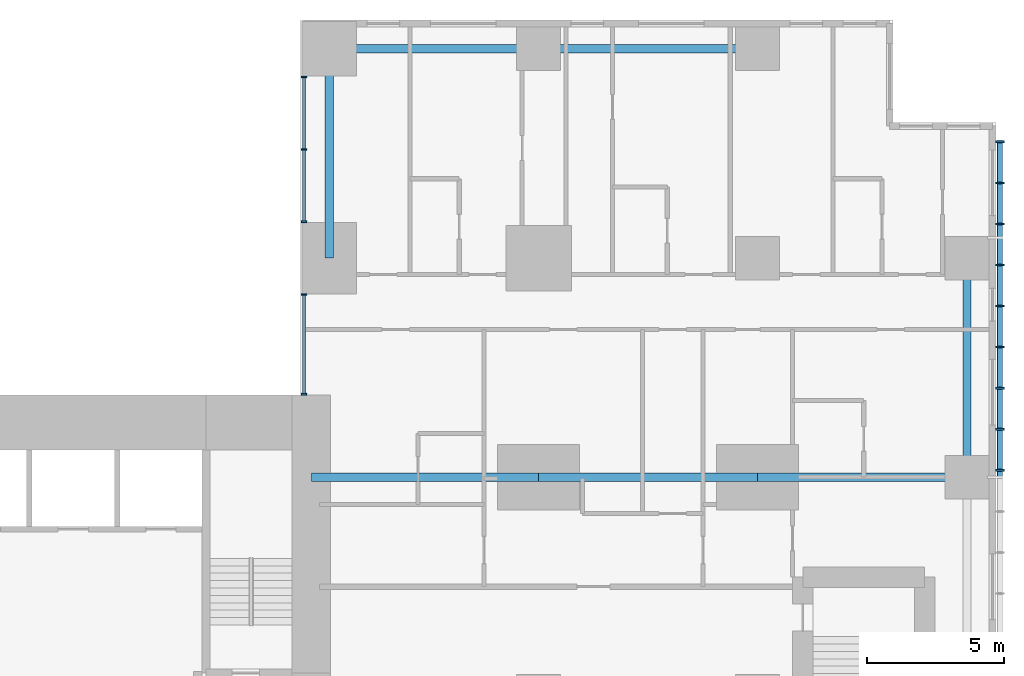
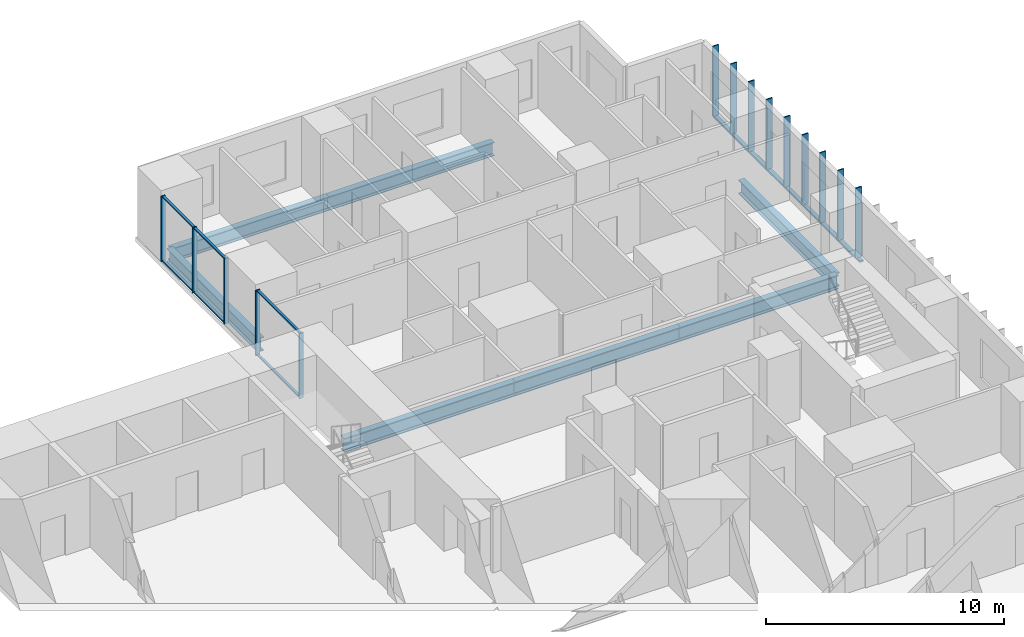
# One storey, part 3 of 12: 21 members, 7 beams, 2 elements without a shape of their own.
"""IFC4 building model written with IfcOpenShell, lengths in metres."""

from ifc_helpers import new_model, si_unit, direction, frame, origin, origin_2d, place, context, subcontext, project, spatial, rectangle, hollow_rectangle, i_section, extrude, material, layer, layer_set, material_profile, profile_set, type_object, element, aggregate, save


model = new_model("IFC4")

# Units and contexts
model_context = context("Model", 3, precision=1e-05, world=origin(), true_north=direction((0.0, 1.0)))
body_context = subcontext(model_context, "Body", "Model", "MODEL_VIEW")
ifc_project = project(units=[si_unit("LENGTHUNIT", "METRE"), si_unit("AREAUNIT", "SQUARE_METRE"), si_unit("VOLUMEUNIT", "CUBIC_METRE"), si_unit("PLANEANGLEUNIT", "RADIAN"), si_unit("MASSUNIT", "GRAM", prefix="KILO")], contexts=[model_context])

# Site, building, storey
site_placement = place(None, origin())
site = spatial("IfcSite", under=ifc_project, at=site_placement, CompositionType="ELEMENT")
building_placement = place(site_placement, origin())
building = spatial("IfcBuilding", under=site, at=building_placement, Name="Cleftline Residences", CompositionType="ELEMENT")
storey_placement = place(building_placement, frame((0.0, 0.0, 255.60009765625)))
storey = spatial("IfcBuildingStorey", under=building, at=storey_placement, Name="L67", CompositionType="ELEMENT", Elevation=255.60009765625)

# Member
ifc_material_1 = material(Name="Steel S355, hot-dip galvanised", Category="steel")
ifc_material_profile_1 = material_profile(ifc_material_1, hollow_rectangle(XDim=0.10009765625, YDim=0.199951171875, WallThickness=0.008056640625, InnerFilletRadius=0.008056640625, OuterFilletRadius=0.011962890625, at=origin_2d()))
ifc_profile_set_1 = profile_set([ifc_material_profile_1], Name="Steel S355, hot-dip galvanised")
member_type_1 = type_object("IfcMemberType", Name="BAGUETTE CARRIER RHS 200X100X8", PredefinedType="USERDEFINED", material=ifc_profile_set_1)
member_1_placement = place(storey_placement, frame((66.85009765625, 32.0, -0.050048828125), z_axis=(0.0, 1.0, 0.0), x_axis=(0.0, 0.0, 1.0)))
element("IfcMember", 1, at=member_1_placement, inside=storey, type_object=member_type_1, Name="Baguette carrier", ObjectType="BAGUETTE CARRIER", PredefinedType="USERDEFINED", context=body_context, shape_type="SweptSolid", body=[
    extrude(hollow_rectangle(XDim=0.10009765625, YDim=0.199951171875, WallThickness=0.008056640625, InnerFilletRadius=0.008056640625, OuterFilletRadius=0.011962890625, at=origin_2d()), origin(), (0.0, 0.0, 1.0), 12.300048828125),
])

# Beams
ifc_material_2 = material(Name="Steel S355", Category="steel")
ifc_material_profile_2 = material_profile(ifc_material_2, i_section(OverallWidth=0.300048828125, OverallDepth=0.699951171875, WebThickness=0.01708984375, FlangeThickness=0.031982421875, FilletRadius=0.027099609375, at=origin_2d()))
ifc_profile_set_2 = profile_set([ifc_material_profile_2], Name="Steel S355")
beam_type_1 = type_object("IfcBeamType", Name="BEAM HEB 700", PredefinedType="BEAM", material=ifc_profile_set_2)
for number, where, z_axis, x_axis, name in (
    (2, (65.64990234375, 32.0, -0.60009765625), (0.0, 1.0, 0.0), (-1.0, 0.0, 0.0), "Edge beam"),
    (3, (58.0, 47.64990234375, -0.60009765625), (-1.0, 0.0, 0.0), (0.0, -1.0, 0.0), "Edge beam"),
):
    element("IfcBeam", number, at=place(storey_placement, frame(where, z_axis=z_axis, x_axis=x_axis)), inside=storey, type_object=beam_type_1, Name=name, PredefinedType="BEAM", context=body_context, shape_type="SweptSolid", body=[
        extrude(i_section(OverallWidth=0.300048828125, OverallDepth=0.699951171875, WebThickness=0.01708984375, FlangeThickness=0.031982421875, FilletRadius=0.027099609375, at=origin_2d()), origin(), (0.0, 0.0, 1.0), 8.0),
    ])
for number, where, z_axis, x_axis, name in (
    (4, (50.0, 47.64990234375, -0.60009765625), (-1.0, 0.0, 0.0), (0.0, -1.0, 0.0), "Edge beam"),
    (5, (42.35009765625, 47.64990234375, -0.60009765625), (0.0, -1.0, 0.0), (1.0, 0.0, 0.0), "Edge beam"),
):
    element("IfcBeam", number, at=place(storey_placement, frame(where, z_axis=z_axis, x_axis=x_axis)), inside=storey, type_object=beam_type_1, Name=name, PredefinedType="BEAM", context=body_context, shape_type="SweptSolid", body=[
        extrude(i_section(OverallWidth=0.300048828125, OverallDepth=0.699951171875, WebThickness=0.01708984375, FlangeThickness=0.031982421875, FilletRadius=0.027099609375, at=origin_2d()), origin(), (0.0, 0.0, 1.0), 7.64990234375),
    ])
ifc_material_3 = material(Name="Steel S355", Category="steel")
ifc_material_profile_3 = material_profile(ifc_material_3, i_section(OverallWidth=0.303955078125, OverallDepth=0.716064453125, WebThickness=0.02099609375, FlangeThickness=0.0400390625, FilletRadius=0.027099609375, at=origin_2d()))
ifc_profile_set_3 = profile_set([ifc_material_profile_3], Name="Steel S355")
beam_type_2 = type_object("IfcBeamType", Name="BEAM HEM 700", PredefinedType="BEAM", material=ifc_profile_set_3)
beam_1_placement = place(storey_placement, frame((65.64990234375, 32.0, -0.608154296875), z_axis=(-1.0, 0.0, 0.0), x_axis=(0.0, -1.0, 0.0)))
element("IfcBeam", 6, at=beam_1_placement, inside=storey, type_object=beam_type_2, Name="Band beam", PredefinedType="BEAM", context=body_context, shape_type="SweptSolid", body=[
    extrude(i_section(OverallWidth=0.303955078125, OverallDepth=0.716064453125, WebThickness=0.02099609375, FlangeThickness=0.0400390625, FilletRadius=0.027099609375, at=origin_2d()), origin(), (0.0, 0.0, 1.0), 7.64990234375),
])
beam_2_placement = place(storey_placement, frame((58.0, 32.0, -0.608154296875), z_axis=(-1.0, 0.0, 0.0), x_axis=(0.0, -1.0, 0.0)))
element("IfcBeam", 7, at=beam_2_placement, inside=storey, type_object=beam_type_2, Name="Band beam", PredefinedType="BEAM", context=body_context, shape_type="SweptSolid", body=[
    extrude(i_section(OverallWidth=0.303955078125, OverallDepth=0.716064453125, WebThickness=0.02099609375, FlangeThickness=0.0400390625, FilletRadius=0.027099609375, at=origin_2d()), origin(), (0.0, 0.0, 1.0), 8.0),
])
beam_3_placement = place(storey_placement, frame((50.0, 32.0, -0.608154296875), z_axis=(-1.0, 0.0, 0.0), x_axis=(0.0, -1.0, 0.0)))
element("IfcBeam", 8, at=beam_3_placement, inside=storey, type_object=beam_type_2, Name="Band beam", PredefinedType="BEAM", context=body_context, shape_type="SweptSolid", body=[
    extrude(i_section(OverallWidth=0.303955078125, OverallDepth=0.716064453125, WebThickness=0.02099609375, FlangeThickness=0.0400390625, FilletRadius=0.027099609375, at=origin_2d()), origin(), (0.0, 0.0, 1.0), 8.300048828125),
])

# Curtain wall, members
ifc_material_4 = material(Name="Aluminium framed curtain wall", Category="aluminium")
ifc_layer = layer(ifc_material_4, 0.199951171875)
ifc_layer_set = layer_set([ifc_layer], Name="CW1 CLEFT GLAZING")
curtain_wall_type = type_object("IfcCurtainWallType", Name="CW1 CLEFT GLAZING", PredefinedType="NOTDEFINED", material=ifc_layer_set)
curtain_wall_1_placement = place(storey_placement, origin())
curtain_wall_1 = element("IfcCurtainWall", 9, at=curtain_wall_1_placement, inside=storey, type_object=curtain_wall_type, Name="Curtain wall CW1", PredefinedType="NOTDEFINED")
ifc_material_5 = material(Name="Aluminium mullion", Category="aluminium")
ifc_material_profile_4 = material_profile(ifc_material_5, rectangle(XDim=0.199951171875, YDim=0.06005859375, at=origin_2d()))
ifc_profile_set_4 = profile_set([ifc_material_profile_4], Name="Aluminium mullion")
member_type_2 = type_object("IfcMemberType", Name="CW1 MULLION", PredefinedType="MULLION", material=ifc_profile_set_4)
member_2_placement = place(storey_placement, frame((41.425048828125, 46.6201171875, 0.0), z_axis=(0.0, 0.0, 1.0), x_axis=(1.0, 0.0, 0.0)))
member_2 = element("IfcMember", 10, at=member_2_placement, type_object=member_type_2, Name="CW1 mullion 1", PredefinedType="MULLION", context=body_context, shape_type="SweptSolid", body=[
    extrude(rectangle(XDim=0.199951171875, YDim=0.06005859375, at=origin_2d()), origin(), (0.0, 0.0, 1.0), 3.349853515625),
])
member_3_placement = place(storey_placement, frame((41.425048828125, 43.97509765625, 0.0), z_axis=(0.0, 0.0, 1.0), x_axis=(1.0, 0.0, 0.0)))
member_3 = element("IfcMember", 11, at=member_3_placement, type_object=member_type_2, Name="CW1 mullion 2", PredefinedType="MULLION", context=body_context, shape_type="SweptSolid", body=[
    extrude(rectangle(XDim=0.199951171875, YDim=0.06005859375, at=origin_2d()), origin(), (0.0, 0.0, 1.0), 3.349853515625),
])
member_4_placement = place(storey_placement, frame((41.425048828125, 41.330078125, 0.0), z_axis=(0.0, 0.0, 1.0), x_axis=(1.0, 0.0, 0.0)))
member_4 = element("IfcMember", 12, at=member_4_placement, type_object=member_type_2, Name="CW1 mullion 3", PredefinedType="MULLION", context=body_context, shape_type="SweptSolid", body=[
    extrude(rectangle(XDim=0.199951171875, YDim=0.06005859375, at=origin_2d()), origin(), (0.0, 0.0, 1.0), 3.349853515625),
])

curtain_wall_2_placement = place(storey_placement, origin())
curtain_wall_2 = element("IfcCurtainWall", 13, at=curtain_wall_2_placement, inside=storey, type_object=curtain_wall_type, Name="Curtain wall CW1", PredefinedType="NOTDEFINED")
member_5_placement = place(storey_placement, frame((41.425048828125, 38.669921875, 0.0), z_axis=(0.0, 0.0, 1.0), x_axis=(1.0, 0.0, 0.0)))
member_5 = element("IfcMember", 14, at=member_5_placement, type_object=member_type_2, Name="CW1 mullion 1", PredefinedType="MULLION", context=body_context, shape_type="SweptSolid", body=[
    extrude(rectangle(XDim=0.199951171875, YDim=0.06005859375, at=origin_2d()), origin(), (0.0, 0.0, 1.0), 3.349853515625),
])
member_6_placement = place(storey_placement, frame((41.425048828125, 35.030029296875, 0.0), z_axis=(0.0, 0.0, 1.0), x_axis=(1.0, 0.0, 0.0)))
member_6 = element("IfcMember", 15, at=member_6_placement, type_object=member_type_2, Name="CW1 mullion 2", PredefinedType="MULLION", context=body_context, shape_type="SweptSolid", body=[
    extrude(rectangle(XDim=0.199951171875, YDim=0.06005859375, at=origin_2d()), origin(), (0.0, 0.0, 1.0), 3.349853515625),
])

# Member
ifc_material_6 = material(Name="Aluminium transom", Category="aluminium")
ifc_material_profile_5 = material_profile(ifc_material_6, rectangle(XDim=0.1201171875, YDim=0.06005859375, at=origin_2d()))
ifc_profile_set_5 = profile_set([ifc_material_profile_5], Name="Aluminium transom")
member_type_3 = type_object("IfcMemberType", Name="CW1 TRANSOM", PredefinedType="USERDEFINED", material=ifc_profile_set_5)
member_7_placement = place(storey_placement, frame((41.425048828125, 46.590087890625, 0.02978515625), z_axis=(0.0, -1.0, 0.0), x_axis=(1.0, 0.0, 0.0)))
member_7 = element("IfcMember", 16, at=member_7_placement, type_object=member_type_3, Name="CW1 transom 1.1", ObjectType="TRANSOM", PredefinedType="USERDEFINED", context=body_context, shape_type="SweptSolid", body=[
    extrude(rectangle(XDim=0.1201171875, YDim=0.06005859375, at=origin_2d()), origin(), (0.0, 0.0, 1.0), 2.585205078125),
])

member_8_placement = place(storey_placement, frame((41.425048828125, 46.590087890625, 3.31982421875), z_axis=(0.0, -1.0, 0.0), x_axis=(1.0, 0.0, 0.0)))
member_8 = element("IfcMember", 17, at=member_8_placement, type_object=member_type_3, Name="CW1 transom 1.2", ObjectType="TRANSOM", PredefinedType="USERDEFINED", context=body_context, shape_type="SweptSolid", body=[
    extrude(rectangle(XDim=0.1201171875, YDim=0.06005859375, at=origin_2d()), origin(), (0.0, 0.0, 1.0), 2.585205078125),
])

member_9_placement = place(storey_placement, frame((41.425048828125, 43.945068359375, 0.02978515625), z_axis=(0.0, -1.0, 0.0), x_axis=(1.0, 0.0, 0.0)))
member_9 = element("IfcMember", 18, at=member_9_placement, type_object=member_type_3, Name="CW1 transom 2.1", ObjectType="TRANSOM", PredefinedType="USERDEFINED", context=body_context, shape_type="SweptSolid", body=[
    extrude(rectangle(XDim=0.1201171875, YDim=0.06005859375, at=origin_2d()), origin(), (0.0, 0.0, 1.0), 2.5849609375),
])

member_10_placement = place(storey_placement, frame((41.425048828125, 43.945068359375, 3.31982421875), z_axis=(0.0, -1.0, 0.0), x_axis=(1.0, 0.0, 0.0)))
member_10 = element("IfcMember", 19, at=member_10_placement, type_object=member_type_3, Name="CW1 transom 2.2", ObjectType="TRANSOM", PredefinedType="USERDEFINED", context=body_context, shape_type="SweptSolid", body=[
    extrude(rectangle(XDim=0.1201171875, YDim=0.06005859375, at=origin_2d()), origin(), (0.0, 0.0, 1.0), 2.5849609375),
])

aggregate(curtain_wall_1, [member_2, member_3, member_4, member_7, member_8, member_9, member_10])

member_11_placement = place(storey_placement, frame((41.425048828125, 38.639892578125, 0.02978515625), z_axis=(0.0, -1.0, 0.0), x_axis=(1.0, 0.0, 0.0)))
member_11 = element("IfcMember", 20, at=member_11_placement, type_object=member_type_3, Name="CW1 transom 1.1", ObjectType="TRANSOM", PredefinedType="USERDEFINED", context=body_context, shape_type="SweptSolid", body=[
    extrude(rectangle(XDim=0.1201171875, YDim=0.06005859375, at=origin_2d()), origin(), (0.0, 0.0, 1.0), 3.579833984375),
])

member_12_placement = place(storey_placement, frame((41.425048828125, 38.639892578125, 3.31982421875), z_axis=(0.0, -1.0, 0.0), x_axis=(1.0, 0.0, 0.0)))
member_12 = element("IfcMember", 21, at=member_12_placement, type_object=member_type_3, Name="CW1 transom 1.2", ObjectType="TRANSOM", PredefinedType="USERDEFINED", context=body_context, shape_type="SweptSolid", body=[
    extrude(rectangle(XDim=0.1201171875, YDim=0.06005859375, at=origin_2d()), origin(), (0.0, 0.0, 1.0), 3.579833984375),
])

aggregate(curtain_wall_2, [member_5, member_6, member_11, member_12])

# Members
ifc_material_7 = material(Name="Extruded terracotta", Category="masonry")
ifc_material_profile_6 = material_profile(ifc_material_7, rectangle(XDim=0.06005859375, YDim=0.300048828125, at=origin_2d()))
ifc_profile_set_6 = profile_set([ifc_material_profile_6], Name="Extruded terracotta")
member_type_4 = type_object("IfcMemberType", Name="TERRACOTTA BAGUETTE 60X300", PredefinedType="USERDEFINED", material=ifc_profile_set_6)
for number, where, z_axis, x_axis, name in (
    (22, (66.85009765625, 32.25, 0.0), (0.0, 0.0, 1.0), (0.0, 1.0, 0.0), "Terracotta baguette"),
    (23, (66.85009765625, 33.75, 0.0), (0.0, 0.0, 1.0), (0.0, 1.0, 0.0), "Terracotta baguette"),
    (24, (66.85009765625, 35.25, 0.0), (0.0, 0.0, 1.0), (0.0, 1.0, 0.0), "Terracotta baguette"),
    (25, (66.85009765625, 36.75, 0.0), (0.0, 0.0, 1.0), (0.0, 1.0, 0.0), "Terracotta baguette"),
    (26, (66.85009765625, 38.25, 0.0), (0.0, 0.0, 1.0), (0.0, 1.0, 0.0), "Terracotta baguette"),
    (27, (66.85009765625, 39.75, 0.0), (0.0, 0.0, 1.0), (0.0, 1.0, 0.0), "Terracotta baguette"),
    (28, (66.85009765625, 41.25, 0.0), (0.0, 0.0, 1.0), (0.0, 1.0, 0.0), "Terracotta baguette"),
    (29, (66.85009765625, 42.75, 0.0), (0.0, 0.0, 1.0), (0.0, 1.0, 0.0), "Terracotta baguette"),
    (30, (66.85009765625, 44.25, 0.0), (0.0, 0.0, 1.0), (0.0, 1.0, 0.0), "Terracotta baguette"),
):
    element("IfcMember", number, at=place(storey_placement, frame(where, z_axis=z_axis, x_axis=x_axis)), inside=storey, type_object=member_type_4, Name=name, ObjectType="BAGUETTE", PredefinedType="USERDEFINED", context=body_context, shape_type="SweptSolid", body=[
        extrude(rectangle(XDim=0.06005859375, YDim=0.300048828125, at=origin_2d()), origin(), (0.0, 0.0, 1.0), 3.599853515625),
    ])

save(model, "model.ifc")
